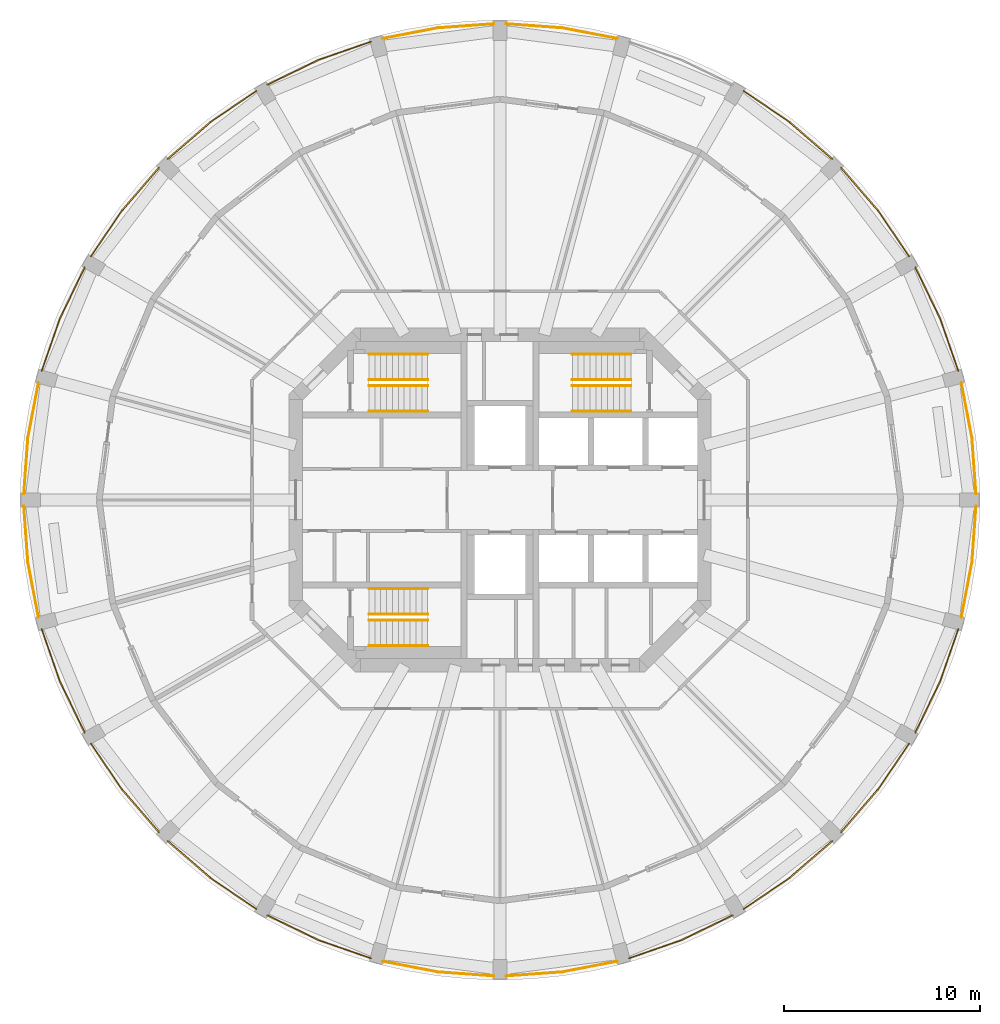
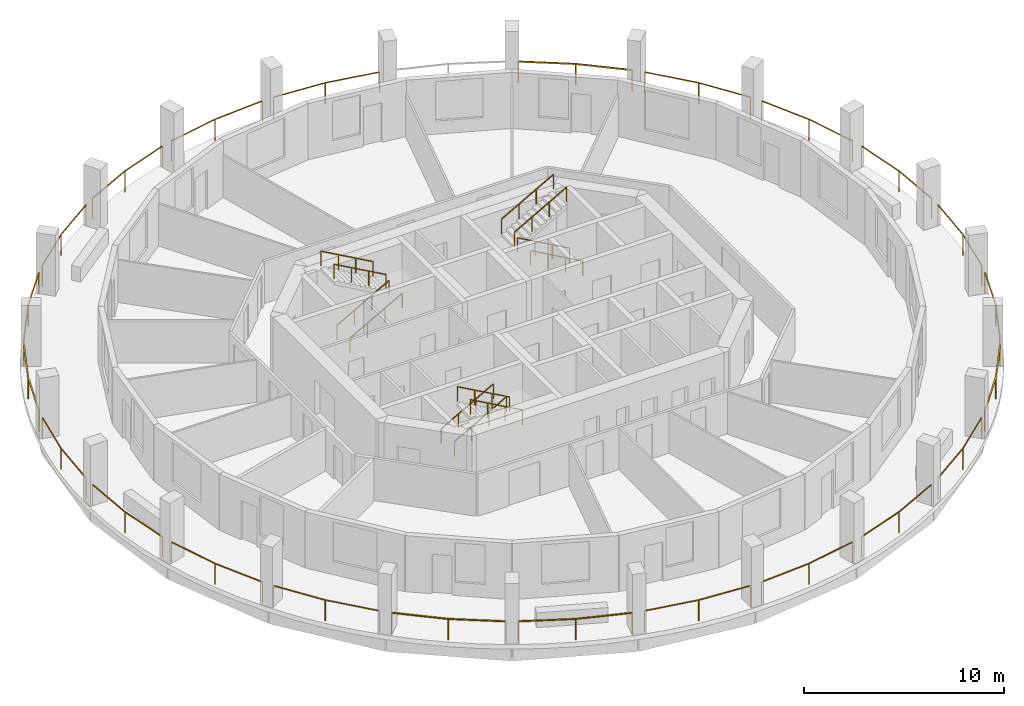
# One storey, part 8 of 9: 35 railings.
"""IFC4 building model written with IfcOpenShell, lengths in metres."""

from ifc_helpers import new_model, si_unit, direction, frame, origin, origin_2d, place, context, subcontext, project, spatial, rectangle, extrude, material, type_object, element, save


model = new_model("IFC4")

# Units and contexts
model_context = context("Model", 3, precision=1e-05, world=origin(), true_north=direction((0.0, 1.0)))
body_context = subcontext(model_context, "Body", "Model", "MODEL_VIEW")
ifc_project = project(units=[si_unit("LENGTHUNIT", "METRE"), si_unit("AREAUNIT", "SQUARE_METRE"), si_unit("VOLUMEUNIT", "CUBIC_METRE"), si_unit("PLANEANGLEUNIT", "RADIAN"), si_unit("MASSUNIT", "GRAM", prefix="KILO")], contexts=[model_context])

# Site, building, storey
site_placement = place(None, origin())
site = spatial("IfcSite", under=ifc_project, at=site_placement, CompositionType="ELEMENT")
building_placement = place(site_placement, origin())
building = spatial("IfcBuilding", under=site, at=building_placement, Name="Torre Triforio", CompositionType="ELEMENT")
storey_placement = place(building_placement, frame((0.0, 0.0, 244.60009765625)))
storey = spatial("IfcBuildingStorey", under=building, at=storey_placement, Name="L56", CompositionType="ELEMENT", Elevation=244.60009765625)

# Railings
ifc_material = material(Name="Stainless steel AISI 316", Category="steel")
railing_type_1 = type_object("IfcRailingType", Name="HANDRAIL 920", PredefinedType="HANDRAIL", material=ifc_material)
for number, where, name in (
    (1, (-6.699951171875, 4.550048828125, 0.16796875), "Handrail ST1"),
    (2, (-6.699951171875, 5.85009765625, 0.16796875), "Handrail ST1"),
):
    element("IfcRailing", number, at=place(storey_placement, frame(where)), inside=storey, type_object=railing_type_1, Name=name, PredefinedType="HANDRAIL", context=body_context, shape_type="SweptSolid", body=[
        extrude(rectangle(XDim=0.048095703125, YDim=0.048095703125, at=origin_2d()), frame((0.0, 0.0, 0.89599609375), z_axis=(0.872272294576, 0.0, 0.489020494575), x_axis=(0.0, 1.0, 0.0)), (0.0, 0.0, 1.0), 3.439208984375),
        extrude(rectangle(XDim=0.0419921875, YDim=0.0419921875, at=origin_2d()), origin(), (0.0, 0.0, 1.0), 0.871826171875),
        extrude(rectangle(XDim=0.0419921875, YDim=0.0419921875, at=origin_2d()), frame((1.0, 0.0, 0.560546875)), (0.0, 0.0, 1.0), 0.871826171875),
        extrude(rectangle(XDim=0.0419921875, YDim=0.0419921875, at=origin_2d()), frame((2.0, 0.0, 1.121337890625)), (0.0, 0.0, 1.0), 0.871826171875),
        extrude(rectangle(XDim=0.0419921875, YDim=0.0419921875, at=origin_2d()), frame((3.0, 0.0, 1.681884765625)), (0.0, 0.0, 1.0), 0.871826171875),
    ])
for number, where, name in (
    (3, (-3.699951171875, 7.449951171875, 2.01806640625), "Handrail ST1"),
    (4, (-3.699951171875, 6.14990234375, 2.01806640625), "Handrail ST1"),
    (5, (6.699951171875, 4.550048828125, 0.16796875), "Handrail ST2"),
    (6, (6.699951171875, 5.85009765625, 0.16796875), "Handrail ST2"),
):
    element("IfcRailing", number, at=place(storey_placement, frame(where)), inside=storey, type_object=railing_type_1, Name=name, PredefinedType="HANDRAIL", context=body_context, shape_type="SweptSolid", body=[
        extrude(rectangle(XDim=0.048095703125, YDim=0.048095703125, at=origin_2d()), frame((0.0, 0.0, 0.89599609375), z_axis=(-0.872272294576, 0.0, 0.489020494575), x_axis=(0.0, -1.0, 0.0)), (0.0, 0.0, 1.0), 3.439208984375),
        extrude(rectangle(XDim=0.0419921875, YDim=0.0419921875, at=origin_2d()), origin(), (0.0, 0.0, 1.0), 0.871826171875),
        extrude(rectangle(XDim=0.0419921875, YDim=0.0419921875, at=origin_2d()), frame((-1.0, 0.0, 0.560546875)), (0.0, 0.0, 1.0), 0.871826171875),
        extrude(rectangle(XDim=0.0419921875, YDim=0.0419921875, at=origin_2d()), frame((-2.0, 0.0, 1.121337890625)), (0.0, 0.0, 1.0), 0.871826171875),
        extrude(rectangle(XDim=0.0419921875, YDim=0.0419921875, at=origin_2d()), frame((-3.0, 0.0, 1.681884765625)), (0.0, 0.0, 1.0), 0.871826171875),
    ])
for number, where, name in (
    (7, (3.699951171875, 7.449951171875, 2.01806640625), "Handrail ST2"),
    (8, (3.699951171875, 6.14990234375, 2.01806640625), "Handrail ST2"),
    (9, (-6.699951171875, -4.550048828125, 0.16796875), "Handrail ST3"),
    (10, (-6.699951171875, -5.85009765625, 0.16796875), "Handrail ST3"),
):
    element("IfcRailing", number, at=place(storey_placement, frame(where)), inside=storey, type_object=railing_type_1, Name=name, PredefinedType="HANDRAIL", context=body_context, shape_type="SweptSolid", body=[
        extrude(rectangle(XDim=0.048095703125, YDim=0.048095703125, at=origin_2d()), frame((0.0, 0.0, 0.89599609375), z_axis=(0.872272294576, 0.0, 0.489020494575), x_axis=(0.0, 1.0, 0.0)), (0.0, 0.0, 1.0), 3.439208984375),
        extrude(rectangle(XDim=0.0419921875, YDim=0.0419921875, at=origin_2d()), origin(), (0.0, 0.0, 1.0), 0.871826171875),
        extrude(rectangle(XDim=0.0419921875, YDim=0.0419921875, at=origin_2d()), frame((1.0, 0.0, 0.560546875)), (0.0, 0.0, 1.0), 0.871826171875),
        extrude(rectangle(XDim=0.0419921875, YDim=0.0419921875, at=origin_2d()), frame((2.0, 0.0, 1.121337890625)), (0.0, 0.0, 1.0), 0.871826171875),
        extrude(rectangle(XDim=0.0419921875, YDim=0.0419921875, at=origin_2d()), frame((3.0, 0.0, 1.681884765625)), (0.0, 0.0, 1.0), 0.871826171875),
    ])
for number, where, name in (
    (11, (-3.699951171875, -7.449951171875, 2.01806640625), "Handrail ST3"),
    (12, (-3.699951171875, -6.14990234375, 2.01806640625), "Handrail ST3"),
):
    element("IfcRailing", number, at=place(storey_placement, frame(where)), inside=storey, type_object=railing_type_1, Name=name, PredefinedType="HANDRAIL", context=body_context, shape_type="SweptSolid", body=[
        extrude(rectangle(XDim=0.048095703125, YDim=0.048095703125, at=origin_2d()), frame((0.0, 0.0, 0.89599609375), z_axis=(-0.872272294576, 0.0, 0.489020494575), x_axis=(0.0, -1.0, 0.0)), (0.0, 0.0, 1.0), 3.439208984375),
        extrude(rectangle(XDim=0.0419921875, YDim=0.0419921875, at=origin_2d()), origin(), (0.0, 0.0, 1.0), 0.871826171875),
        extrude(rectangle(XDim=0.0419921875, YDim=0.0419921875, at=origin_2d()), frame((-1.0, 0.0, 0.560546875)), (0.0, 0.0, 1.0), 0.871826171875),
        extrude(rectangle(XDim=0.0419921875, YDim=0.0419921875, at=origin_2d()), frame((-2.0, 0.0, 1.121337890625)), (0.0, 0.0, 1.0), 0.871826171875),
        extrude(rectangle(XDim=0.0419921875, YDim=0.0419921875, at=origin_2d()), frame((-3.0, 0.0, 1.681884765625)), (0.0, 0.0, 1.0), 0.871826171875),
    ])
railing_type_2 = type_object("IfcRailingType", Name="Loggia guard 1300", PredefinedType="GUARDRAIL", material=ifc_material)
railing_1_placement = place(storey_placement, frame((24.35009765625, 0.320068359375, 0.0)))
element("IfcRailing", 13, at=railing_1_placement, inside=storey, type_object=railing_type_2, Name="Loggia guard L56 bay 01", PredefinedType="GUARDRAIL", context=body_context, shape_type="SweptSolid", body=[
    extrude(rectangle(XDim=0.050048828125, YDim=0.050048828125, at=origin_2d()), frame((0.0, 0.0, 1.27490234375), z_axis=(-0.072754488601, 0.997349880628, 0.0), x_axis=(-0.997349880628, -0.072754488601, 0.0)), (0.0, 0.0, 1.0), 2.86572265625),
    extrude(rectangle(XDim=0.050048828125, YDim=0.050048828125, at=origin_2d()), frame((-0.20849609375, 2.858154296875, 1.27490234375), z_axis=(-0.187918414449, 0.982184641252, 0.0), x_axis=(-0.982184641252, -0.187918414449, 0.0)), (0.0, 0.0, 1.0), 2.865966796875),
    extrude(rectangle(XDim=0.0400390625, YDim=0.0400390625, at=origin_2d()), origin(), (0.0, 0.0, 1.0), 1.25),
    extrude(rectangle(XDim=0.0400390625, YDim=0.0400390625, at=origin_2d()), frame((-0.20849609375, 2.858154296875, 0.0)), (0.0, 0.0, 1.0), 1.25),
    extrude(rectangle(XDim=0.0400390625, YDim=0.0400390625, at=origin_2d()), frame((-0.7470703125, 5.673095703125, 0.0)), (0.0, 0.0, 1.0), 1.25),
])
railing_2_placement = place(storey_placement, frame((23.4375, 6.611328125, 0.0)))
element("IfcRailing", 14, at=railing_2_placement, inside=storey, type_object=railing_type_2, Name="Loggia guard L56 bay 02", PredefinedType="GUARDRAIL", context=body_context, shape_type="SweptSolid", body=[
    extrude(rectangle(XDim=0.050048828125, YDim=0.050048828125, at=origin_2d()), frame((0.0, 0.0, 1.27490234375), z_axis=(-0.328315763022, 0.944568028123, 0.0), x_axis=(-0.944568028123, -0.328315763022, 0.0)), (0.0, 0.0, 1.0), 2.865966796875),
    extrude(rectangle(XDim=0.050048828125, YDim=0.050048828125, at=origin_2d()), frame((-0.94091796875, 2.70703125, 1.27490234375), z_axis=(-0.435727917358, 0.900078431046, 0.0), x_axis=(-0.900078431046, -0.435727917358, 0.0)), (0.0, 0.0, 1.0), 2.865966796875),
    extrude(rectangle(XDim=0.0400390625, YDim=0.0400390625, at=origin_2d()), origin(), (0.0, 0.0, 1.0), 1.25),
    extrude(rectangle(XDim=0.0400390625, YDim=0.0400390625, at=origin_2d()), frame((-0.94091796875, 2.70703125, 0.0)), (0.0, 0.0, 1.0), 1.25),
    extrude(rectangle(XDim=0.0400390625, YDim=0.0400390625, at=origin_2d()), frame((-2.189697265625, 5.28662109375, 0.0)), (0.0, 0.0, 1.0), 1.25),
])
railing_3_placement = place(storey_placement, frame((20.927734375, 12.4521484375, 0.0)))
element("IfcRailing", 15, at=railing_3_placement, inside=storey, type_object=railing_type_2, Name="Loggia guard L56 bay 03", PredefinedType="GUARDRAIL", context=body_context, shape_type="SweptSolid", body=[
    extrude(rectangle(XDim=0.050048828125, YDim=0.050048828125, at=origin_2d()), frame((0.0, 0.0, 1.27490234375), z_axis=(-0.561659735558, 0.827368322727, 0.0), x_axis=(-0.827368322727, -0.561659735558, 0.0)), (0.0, 0.0, 1.0), 2.86572265625),
    extrude(rectangle(XDim=0.050048828125, YDim=0.050048828125, at=origin_2d()), frame((-1.609619140625, 2.37109375, 1.27490234375), z_axis=(-0.653823896404, 0.756646755422, 0.0), x_axis=(-0.756646755422, -0.653823896404, 0.0)), (0.0, 0.0, 1.0), 2.865966796875),
    extrude(rectangle(XDim=0.0400390625, YDim=0.0400390625, at=origin_2d()), origin(), (0.0, 0.0, 1.0), 1.25),
    extrude(rectangle(XDim=0.0400390625, YDim=0.0400390625, at=origin_2d()), frame((-1.609619140625, 2.37109375, 0.0)), (0.0, 0.0, 1.0), 1.25),
    extrude(rectangle(XDim=0.0400390625, YDim=0.0400390625, at=origin_2d()), frame((-3.4833984375, 4.53955078125, 0.0)), (0.0, 0.0, 1.0), 1.25),
])
railing_4_placement = place(storey_placement, frame((16.99169921875, 17.4443359375, 0.0)))
element("IfcRailing", 16, at=railing_4_placement, inside=storey, type_object=railing_type_2, Name="Loggia guard L56 bay 04", PredefinedType="GUARDRAIL", context=body_context, shape_type="SweptSolid", body=[
    extrude(rectangle(XDim=0.050048828125, YDim=0.050048828125, at=origin_2d()), frame((0.0, 0.0, 1.27490234375), z_axis=(-0.756646755422, 0.653823896404, 0.0), x_axis=(-0.653823896404, -0.756646755422, 0.0)), (0.0, 0.0, 1.0), 2.865966796875),
    extrude(rectangle(XDim=0.050048828125, YDim=0.050048828125, at=origin_2d()), frame((-2.16845703125, 1.873779296875, 1.27490234375), z_axis=(-0.827368322727, 0.561659735558, 0.0), x_axis=(-0.561659735558, -0.827368322727, 0.0)), (0.0, 0.0, 1.0), 2.86572265625),
    extrude(rectangle(XDim=0.0400390625, YDim=0.0400390625, at=origin_2d()), origin(), (0.0, 0.0, 1.0), 1.25),
    extrude(rectangle(XDim=0.0400390625, YDim=0.0400390625, at=origin_2d()), frame((-2.16845703125, 1.873779296875, 0.0)), (0.0, 0.0, 1.0), 1.25),
    extrude(rectangle(XDim=0.0400390625, YDim=0.0400390625, at=origin_2d()), frame((-4.53955078125, 3.4833984375, 0.0)), (0.0, 0.0, 1.0), 1.25),
])
railing_5_placement = place(storey_placement, frame((5.9931640625, 23.60302734375, 0.0)))
element("IfcRailing", 17, at=railing_5_placement, inside=storey, type_object=railing_type_2, Name="Loggia guard L56 bay 06", PredefinedType="GUARDRAIL", context=body_context, shape_type="SweptSolid", body=[
    extrude(rectangle(XDim=0.050048828125, YDim=0.050048828125, at=origin_2d()), frame((0.0, 0.0, 1.27490234375), z_axis=(-0.982184641252, 0.187918414449, 0.0), x_axis=(-0.187918414449, -0.982184641252, 0.0)), (0.0, 0.0, 1.0), 2.865966796875),
    extrude(rectangle(XDim=0.050048828125, YDim=0.050048828125, at=origin_2d()), frame((-2.81494140625, 0.53857421875, 1.27490234375), z_axis=(-0.997349880628, 0.072754488601, 0.0), x_axis=(-0.072754488601, -0.997349880628, 0.0)), (0.0, 0.0, 1.0), 2.86572265625),
    extrude(rectangle(XDim=0.0400390625, YDim=0.0400390625, at=origin_2d()), origin(), (0.0, 0.0, 1.0), 1.25),
    extrude(rectangle(XDim=0.0400390625, YDim=0.0400390625, at=origin_2d()), frame((-2.81494140625, 0.53857421875, 0.0)), (0.0, 0.0, 1.0), 1.25),
    extrude(rectangle(XDim=0.0400390625, YDim=0.0400390625, at=origin_2d()), frame((-5.673095703125, 0.7470703125, 0.0)), (0.0, 0.0, 1.0), 1.25),
])
railing_6_placement = place(storey_placement, frame((-0.320068359375, 24.35009765625, 0.0)))
element("IfcRailing", 18, at=railing_6_placement, inside=storey, type_object=railing_type_2, Name="Loggia guard L56 bay 07", PredefinedType="GUARDRAIL", context=body_context, shape_type="SweptSolid", body=[
    extrude(rectangle(XDim=0.050048828125, YDim=0.050048828125, at=origin_2d()), frame((0.0, 0.0, 1.27490234375), z_axis=(-0.997349880628, -0.072754488601, 0.0), x_axis=(0.072754488601, -0.997349880628, 0.0)), (0.0, 0.0, 1.0), 2.86572265625),
    extrude(rectangle(XDim=0.050048828125, YDim=0.050048828125, at=origin_2d()), frame((-2.858154296875, -0.20849609375, 1.27490234375), z_axis=(-0.982184641252, -0.187918414449, 0.0), x_axis=(0.187918414449, -0.982184641252, 0.0)), (0.0, 0.0, 1.0), 2.865966796875),
    extrude(rectangle(XDim=0.0400390625, YDim=0.0400390625, at=origin_2d()), origin(), (0.0, 0.0, 1.0), 1.25),
    extrude(rectangle(XDim=0.0400390625, YDim=0.0400390625, at=origin_2d()), frame((-2.858154296875, -0.20849609375, 0.0)), (0.0, 0.0, 1.0), 1.25),
    extrude(rectangle(XDim=0.0400390625, YDim=0.0400390625, at=origin_2d()), frame((-5.673095703125, -0.7470703125, 0.0)), (0.0, 0.0, 1.0), 1.25),
])
railing_7_placement = place(storey_placement, frame((-6.611328125, 23.4375, 0.0)))
element("IfcRailing", 19, at=railing_7_placement, inside=storey, type_object=railing_type_2, Name="Loggia guard L56 bay 08", PredefinedType="GUARDRAIL", context=body_context, shape_type="SweptSolid", body=[
    extrude(rectangle(XDim=0.050048828125, YDim=0.050048828125, at=origin_2d()), frame((0.0, 0.0, 1.27490234375), z_axis=(-0.944568028123, -0.328315763022, 0.0), x_axis=(0.328315763022, -0.944568028123, 0.0)), (0.0, 0.0, 1.0), 2.865966796875),
    extrude(rectangle(XDim=0.050048828125, YDim=0.050048828125, at=origin_2d()), frame((-2.70703125, -0.94091796875, 1.27490234375), z_axis=(-0.900078431046, -0.435727917358, 0.0), x_axis=(0.435727917358, -0.900078431046, 0.0)), (0.0, 0.0, 1.0), 2.865966796875),
    extrude(rectangle(XDim=0.0400390625, YDim=0.0400390625, at=origin_2d()), origin(), (0.0, 0.0, 1.0), 1.25),
    extrude(rectangle(XDim=0.0400390625, YDim=0.0400390625, at=origin_2d()), frame((-2.70703125, -0.94091796875, 0.0)), (0.0, 0.0, 1.0), 1.25),
    extrude(rectangle(XDim=0.0400390625, YDim=0.0400390625, at=origin_2d()), frame((-5.28662109375, -2.189697265625, 0.0)), (0.0, 0.0, 1.0), 1.25),
])
railing_8_placement = place(storey_placement, frame((-12.4521484375, 20.927734375, 0.0)))
element("IfcRailing", 20, at=railing_8_placement, inside=storey, type_object=railing_type_2, Name="Loggia guard L56 bay 09", PredefinedType="GUARDRAIL", context=body_context, shape_type="SweptSolid", body=[
    extrude(rectangle(XDim=0.050048828125, YDim=0.050048828125, at=origin_2d()), frame((0.0, 0.0, 1.27490234375), z_axis=(-0.827368322727, -0.561659735558, 0.0), x_axis=(0.561659735558, -0.827368322727, 0.0)), (0.0, 0.0, 1.0), 2.86572265625),
    extrude(rectangle(XDim=0.050048828125, YDim=0.050048828125, at=origin_2d()), frame((-2.37109375, -1.609619140625, 1.27490234375), z_axis=(-0.756646755422, -0.653823896404, 0.0), x_axis=(0.653823896404, -0.756646755422, 0.0)), (0.0, 0.0, 1.0), 2.865966796875),
    extrude(rectangle(XDim=0.0400390625, YDim=0.0400390625, at=origin_2d()), origin(), (0.0, 0.0, 1.0), 1.25),
    extrude(rectangle(XDim=0.0400390625, YDim=0.0400390625, at=origin_2d()), frame((-2.37109375, -1.609619140625, 0.0)), (0.0, 0.0, 1.0), 1.25),
    extrude(rectangle(XDim=0.0400390625, YDim=0.0400390625, at=origin_2d()), frame((-4.53955078125, -3.4833984375, 0.0)), (0.0, 0.0, 1.0), 1.25),
])
railing_9_placement = place(storey_placement, frame((-17.4443359375, 16.99169921875, 0.0)))
element("IfcRailing", 21, at=railing_9_placement, inside=storey, type_object=railing_type_2, Name="Loggia guard L56 bay 10", PredefinedType="GUARDRAIL", context=body_context, shape_type="SweptSolid", body=[
    extrude(rectangle(XDim=0.050048828125, YDim=0.050048828125, at=origin_2d()), frame((0.0, 0.0, 1.27490234375), z_axis=(-0.653823896404, -0.756646755422, 0.0), x_axis=(0.756646755422, -0.653823896404, 0.0)), (0.0, 0.0, 1.0), 2.865966796875),
    extrude(rectangle(XDim=0.050048828125, YDim=0.050048828125, at=origin_2d()), frame((-1.873779296875, -2.16845703125, 1.27490234375), z_axis=(-0.561659735558, -0.827368322727, 0.0), x_axis=(0.827368322727, -0.561659735558, 0.0)), (0.0, 0.0, 1.0), 2.86572265625),
    extrude(rectangle(XDim=0.0400390625, YDim=0.0400390625, at=origin_2d()), origin(), (0.0, 0.0, 1.0), 1.25),
    extrude(rectangle(XDim=0.0400390625, YDim=0.0400390625, at=origin_2d()), frame((-1.873779296875, -2.16845703125, 0.0)), (0.0, 0.0, 1.0), 1.25),
    extrude(rectangle(XDim=0.0400390625, YDim=0.0400390625, at=origin_2d()), frame((-3.4833984375, -4.53955078125, 0.0)), (0.0, 0.0, 1.0), 1.25),
])
railing_10_placement = place(storey_placement, frame((-21.247802734375, 11.89794921875, 0.0)))
element("IfcRailing", 22, at=railing_10_placement, inside=storey, type_object=railing_type_2, Name="Loggia guard L56 bay 11", PredefinedType="GUARDRAIL", context=body_context, shape_type="SweptSolid", body=[
    extrude(rectangle(XDim=0.050048828125, YDim=0.050048828125, at=origin_2d()), frame((0.0, 0.0, 1.27490234375), z_axis=(-0.435727917358, -0.900078431046, 0.0), x_axis=(0.900078431046, -0.435727917358, 0.0)), (0.0, 0.0, 1.0), 2.865966796875),
    extrude(rectangle(XDim=0.050048828125, YDim=0.050048828125, at=origin_2d()), frame((-1.248779296875, -2.57958984375, 1.27490234375), z_axis=(-0.328315763022, -0.944568028123, 0.0), x_axis=(0.944568028123, -0.328315763022, 0.0)), (0.0, 0.0, 1.0), 2.865966796875),
    extrude(rectangle(XDim=0.0400390625, YDim=0.0400390625, at=origin_2d()), origin(), (0.0, 0.0, 1.0), 1.25),
    extrude(rectangle(XDim=0.0400390625, YDim=0.0400390625, at=origin_2d()), frame((-1.248779296875, -2.57958984375, 0.0)), (0.0, 0.0, 1.0), 1.25),
    extrude(rectangle(XDim=0.0400390625, YDim=0.0400390625, at=origin_2d()), frame((-2.189697265625, -5.28662109375, 0.0)), (0.0, 0.0, 1.0), 1.25),
])
railing_11_placement = place(storey_placement, frame((-23.60302734375, 5.9931640625, 0.0)))
element("IfcRailing", 23, at=railing_11_placement, inside=storey, type_object=railing_type_2, Name="Loggia guard L56 bay 12", PredefinedType="GUARDRAIL", context=body_context, shape_type="SweptSolid", body=[
    extrude(rectangle(XDim=0.050048828125, YDim=0.050048828125, at=origin_2d()), frame((0.0, 0.0, 1.27490234375), z_axis=(-0.187918414449, -0.982184641252, 0.0), x_axis=(0.982184641252, -0.187918414449, 0.0)), (0.0, 0.0, 1.0), 2.865966796875),
    extrude(rectangle(XDim=0.050048828125, YDim=0.050048828125, at=origin_2d()), frame((-0.53857421875, -2.81494140625, 1.27490234375), z_axis=(-0.072754488601, -0.997349880628, 0.0), x_axis=(0.997349880628, -0.072754488601, 0.0)), (0.0, 0.0, 1.0), 2.86572265625),
    extrude(rectangle(XDim=0.0400390625, YDim=0.0400390625, at=origin_2d()), origin(), (0.0, 0.0, 1.0), 1.25),
    extrude(rectangle(XDim=0.0400390625, YDim=0.0400390625, at=origin_2d()), frame((-0.53857421875, -2.81494140625, 0.0)), (0.0, 0.0, 1.0), 1.25),
    extrude(rectangle(XDim=0.0400390625, YDim=0.0400390625, at=origin_2d()), frame((-0.7470703125, -5.673095703125, 0.0)), (0.0, 0.0, 1.0), 1.25),
])
railing_12_placement = place(storey_placement, frame((-24.35009765625, -0.320068359375, 0.0)))
element("IfcRailing", 24, at=railing_12_placement, inside=storey, type_object=railing_type_2, Name="Loggia guard L56 bay 13", PredefinedType="GUARDRAIL", context=body_context, shape_type="SweptSolid", body=[
    extrude(rectangle(XDim=0.050048828125, YDim=0.050048828125, at=origin_2d()), frame((0.0, 0.0, 1.27490234375), z_axis=(0.072754488601, -0.997349880628, 0.0), x_axis=(0.997349880628, 0.072754488601, 0.0)), (0.0, 0.0, 1.0), 2.86572265625),
    extrude(rectangle(XDim=0.050048828125, YDim=0.050048828125, at=origin_2d()), frame((0.20849609375, -2.858154296875, 1.27490234375), z_axis=(0.187918414449, -0.982184641252, 0.0), x_axis=(0.982184641252, 0.187918414449, 0.0)), (0.0, 0.0, 1.0), 2.865966796875),
    extrude(rectangle(XDim=0.0400390625, YDim=0.0400390625, at=origin_2d()), origin(), (0.0, 0.0, 1.0), 1.25),
    extrude(rectangle(XDim=0.0400390625, YDim=0.0400390625, at=origin_2d()), frame((0.20849609375, -2.858154296875, 0.0)), (0.0, 0.0, 1.0), 1.25),
    extrude(rectangle(XDim=0.0400390625, YDim=0.0400390625, at=origin_2d()), frame((0.7470703125, -5.673095703125, 0.0)), (0.0, 0.0, 1.0), 1.25),
])
railing_13_placement = place(storey_placement, frame((-23.4375, -6.611328125, 0.0)))
element("IfcRailing", 25, at=railing_13_placement, inside=storey, type_object=railing_type_2, Name="Loggia guard L56 bay 14", PredefinedType="GUARDRAIL", context=body_context, shape_type="SweptSolid", body=[
    extrude(rectangle(XDim=0.050048828125, YDim=0.050048828125, at=origin_2d()), frame((0.0, 0.0, 1.27490234375), z_axis=(0.328315763022, -0.944568028123, 0.0), x_axis=(0.944568028123, 0.328315763022, 0.0)), (0.0, 0.0, 1.0), 2.865966796875),
    extrude(rectangle(XDim=0.050048828125, YDim=0.050048828125, at=origin_2d()), frame((0.94091796875, -2.70703125, 1.27490234375), z_axis=(0.435727917358, -0.900078431046, 0.0), x_axis=(0.900078431046, 0.435727917358, 0.0)), (0.0, 0.0, 1.0), 2.865966796875),
    extrude(rectangle(XDim=0.0400390625, YDim=0.0400390625, at=origin_2d()), origin(), (0.0, 0.0, 1.0), 1.25),
    extrude(rectangle(XDim=0.0400390625, YDim=0.0400390625, at=origin_2d()), frame((0.94091796875, -2.70703125, 0.0)), (0.0, 0.0, 1.0), 1.25),
    extrude(rectangle(XDim=0.0400390625, YDim=0.0400390625, at=origin_2d()), frame((2.189697265625, -5.28662109375, 0.0)), (0.0, 0.0, 1.0), 1.25),
])
railing_14_placement = place(storey_placement, frame((-20.927734375, -12.4521484375, 0.0)))
element("IfcRailing", 26, at=railing_14_placement, inside=storey, type_object=railing_type_2, Name="Loggia guard L56 bay 15", PredefinedType="GUARDRAIL", context=body_context, shape_type="SweptSolid", body=[
    extrude(rectangle(XDim=0.050048828125, YDim=0.050048828125, at=origin_2d()), frame((0.0, 0.0, 1.27490234375), z_axis=(0.561659735558, -0.827368322727, 0.0), x_axis=(0.827368322727, 0.561659735558, 0.0)), (0.0, 0.0, 1.0), 2.86572265625),
    extrude(rectangle(XDim=0.050048828125, YDim=0.050048828125, at=origin_2d()), frame((1.609619140625, -2.37109375, 1.27490234375), z_axis=(0.653823896404, -0.756646755422, 0.0), x_axis=(0.756646755422, 0.653823896404, 0.0)), (0.0, 0.0, 1.0), 2.865966796875),
    extrude(rectangle(XDim=0.0400390625, YDim=0.0400390625, at=origin_2d()), origin(), (0.0, 0.0, 1.0), 1.25),
    extrude(rectangle(XDim=0.0400390625, YDim=0.0400390625, at=origin_2d()), frame((1.609619140625, -2.37109375, 0.0)), (0.0, 0.0, 1.0), 1.25),
    extrude(rectangle(XDim=0.0400390625, YDim=0.0400390625, at=origin_2d()), frame((3.4833984375, -4.53955078125, 0.0)), (0.0, 0.0, 1.0), 1.25),
])
railing_15_placement = place(storey_placement, frame((-16.99169921875, -17.4443359375, 0.0)))
element("IfcRailing", 27, at=railing_15_placement, inside=storey, type_object=railing_type_2, Name="Loggia guard L56 bay 16", PredefinedType="GUARDRAIL", context=body_context, shape_type="SweptSolid", body=[
    extrude(rectangle(XDim=0.050048828125, YDim=0.050048828125, at=origin_2d()), frame((0.0, 0.0, 1.27490234375), z_axis=(0.756646755422, -0.653823896404, 0.0), x_axis=(0.653823896404, 0.756646755422, 0.0)), (0.0, 0.0, 1.0), 2.865966796875),
    extrude(rectangle(XDim=0.050048828125, YDim=0.050048828125, at=origin_2d()), frame((2.16845703125, -1.873779296875, 1.27490234375), z_axis=(0.827368322727, -0.561659735558, 0.0), x_axis=(0.561659735558, 0.827368322727, 0.0)), (0.0, 0.0, 1.0), 2.86572265625),
    extrude(rectangle(XDim=0.0400390625, YDim=0.0400390625, at=origin_2d()), origin(), (0.0, 0.0, 1.0), 1.25),
    extrude(rectangle(XDim=0.0400390625, YDim=0.0400390625, at=origin_2d()), frame((2.16845703125, -1.873779296875, 0.0)), (0.0, 0.0, 1.0), 1.25),
    extrude(rectangle(XDim=0.0400390625, YDim=0.0400390625, at=origin_2d()), frame((4.53955078125, -3.4833984375, 0.0)), (0.0, 0.0, 1.0), 1.25),
])
railing_16_placement = place(storey_placement, frame((-11.89794921875, -21.247802734375, 0.0)))
element("IfcRailing", 28, at=railing_16_placement, inside=storey, type_object=railing_type_2, Name="Loggia guard L56 bay 17", PredefinedType="GUARDRAIL", context=body_context, shape_type="SweptSolid", body=[
    extrude(rectangle(XDim=0.050048828125, YDim=0.050048828125, at=origin_2d()), frame((0.0, 0.0, 1.27490234375), z_axis=(0.900078431046, -0.435727917358, 0.0), x_axis=(0.435727917358, 0.900078431046, 0.0)), (0.0, 0.0, 1.0), 2.865966796875),
    extrude(rectangle(XDim=0.050048828125, YDim=0.050048828125, at=origin_2d()), frame((2.57958984375, -1.248779296875, 1.27490234375), z_axis=(0.944568028123, -0.328315763022, 0.0), x_axis=(0.328315763022, 0.944568028123, 0.0)), (0.0, 0.0, 1.0), 2.865966796875),
    extrude(rectangle(XDim=0.0400390625, YDim=0.0400390625, at=origin_2d()), origin(), (0.0, 0.0, 1.0), 1.25),
    extrude(rectangle(XDim=0.0400390625, YDim=0.0400390625, at=origin_2d()), frame((2.57958984375, -1.248779296875, 0.0)), (0.0, 0.0, 1.0), 1.25),
    extrude(rectangle(XDim=0.0400390625, YDim=0.0400390625, at=origin_2d()), frame((5.28662109375, -2.189697265625, 0.0)), (0.0, 0.0, 1.0), 1.25),
])
railing_17_placement = place(storey_placement, frame((-5.9931640625, -23.60302734375, 0.0)))
element("IfcRailing", 29, at=railing_17_placement, inside=storey, type_object=railing_type_2, Name="Loggia guard L56 bay 18", PredefinedType="GUARDRAIL", context=body_context, shape_type="SweptSolid", body=[
    extrude(rectangle(XDim=0.050048828125, YDim=0.050048828125, at=origin_2d()), frame((0.0, 0.0, 1.27490234375), z_axis=(0.982184641252, -0.187918414449, 0.0), x_axis=(0.187918414449, 0.982184641252, 0.0)), (0.0, 0.0, 1.0), 2.865966796875),
    extrude(rectangle(XDim=0.050048828125, YDim=0.050048828125, at=origin_2d()), frame((2.81494140625, -0.53857421875, 1.27490234375), z_axis=(0.997349880628, -0.072754488601, 0.0), x_axis=(0.072754488601, 0.997349880628, 0.0)), (0.0, 0.0, 1.0), 2.86572265625),
    extrude(rectangle(XDim=0.0400390625, YDim=0.0400390625, at=origin_2d()), origin(), (0.0, 0.0, 1.0), 1.25),
    extrude(rectangle(XDim=0.0400390625, YDim=0.0400390625, at=origin_2d()), frame((2.81494140625, -0.53857421875, 0.0)), (0.0, 0.0, 1.0), 1.25),
    extrude(rectangle(XDim=0.0400390625, YDim=0.0400390625, at=origin_2d()), frame((5.673095703125, -0.7470703125, 0.0)), (0.0, 0.0, 1.0), 1.25),
])
railing_18_placement = place(storey_placement, frame((0.320068359375, -24.35009765625, 0.0)))
element("IfcRailing", 30, at=railing_18_placement, inside=storey, type_object=railing_type_2, Name="Loggia guard L56 bay 19", PredefinedType="GUARDRAIL", context=body_context, shape_type="SweptSolid", body=[
    extrude(rectangle(XDim=0.050048828125, YDim=0.050048828125, at=origin_2d()), frame((0.0, 0.0, 1.27490234375), z_axis=(0.997349880628, 0.072754488601, 0.0), x_axis=(-0.072754488601, 0.997349880628, 0.0)), (0.0, 0.0, 1.0), 2.86572265625),
    extrude(rectangle(XDim=0.050048828125, YDim=0.050048828125, at=origin_2d()), frame((2.858154296875, 0.20849609375, 1.27490234375), z_axis=(0.982184641252, 0.187918414449, 0.0), x_axis=(-0.187918414449, 0.982184641252, 0.0)), (0.0, 0.0, 1.0), 2.865966796875),
    extrude(rectangle(XDim=0.0400390625, YDim=0.0400390625, at=origin_2d()), origin(), (0.0, 0.0, 1.0), 1.25),
    extrude(rectangle(XDim=0.0400390625, YDim=0.0400390625, at=origin_2d()), frame((2.858154296875, 0.20849609375, 0.0)), (0.0, 0.0, 1.0), 1.25),
    extrude(rectangle(XDim=0.0400390625, YDim=0.0400390625, at=origin_2d()), frame((5.673095703125, 0.7470703125, 0.0)), (0.0, 0.0, 1.0), 1.25),
])
railing_19_placement = place(storey_placement, frame((6.611328125, -23.4375, 0.0)))
element("IfcRailing", 31, at=railing_19_placement, inside=storey, type_object=railing_type_2, Name="Loggia guard L56 bay 20", PredefinedType="GUARDRAIL", context=body_context, shape_type="SweptSolid", body=[
    extrude(rectangle(XDim=0.050048828125, YDim=0.050048828125, at=origin_2d()), frame((0.0, 0.0, 1.27490234375), z_axis=(0.944568028123, 0.328315763022, 0.0), x_axis=(-0.328315763022, 0.944568028123, 0.0)), (0.0, 0.0, 1.0), 2.865966796875),
    extrude(rectangle(XDim=0.050048828125, YDim=0.050048828125, at=origin_2d()), frame((2.70703125, 0.94091796875, 1.27490234375), z_axis=(0.900078431046, 0.435727917358, 0.0), x_axis=(-0.435727917358, 0.900078431046, 0.0)), (0.0, 0.0, 1.0), 2.865966796875),
    extrude(rectangle(XDim=0.0400390625, YDim=0.0400390625, at=origin_2d()), origin(), (0.0, 0.0, 1.0), 1.25),
    extrude(rectangle(XDim=0.0400390625, YDim=0.0400390625, at=origin_2d()), frame((2.70703125, 0.94091796875, 0.0)), (0.0, 0.0, 1.0), 1.25),
    extrude(rectangle(XDim=0.0400390625, YDim=0.0400390625, at=origin_2d()), frame((5.28662109375, 2.189697265625, 0.0)), (0.0, 0.0, 1.0), 1.25),
])
railing_20_placement = place(storey_placement, frame((12.4521484375, -20.927734375, 0.0)))
element("IfcRailing", 32, at=railing_20_placement, inside=storey, type_object=railing_type_2, Name="Loggia guard L56 bay 21", PredefinedType="GUARDRAIL", context=body_context, shape_type="SweptSolid", body=[
    extrude(rectangle(XDim=0.050048828125, YDim=0.050048828125, at=origin_2d()), frame((0.0, 0.0, 1.27490234375), z_axis=(0.827368322727, 0.561659735558, 0.0), x_axis=(-0.561659735558, 0.827368322727, 0.0)), (0.0, 0.0, 1.0), 2.86572265625),
    extrude(rectangle(XDim=0.050048828125, YDim=0.050048828125, at=origin_2d()), frame((2.37109375, 1.609619140625, 1.27490234375), z_axis=(0.756646755422, 0.653823896404, 0.0), x_axis=(-0.653823896404, 0.756646755422, 0.0)), (0.0, 0.0, 1.0), 2.865966796875),
    extrude(rectangle(XDim=0.0400390625, YDim=0.0400390625, at=origin_2d()), origin(), (0.0, 0.0, 1.0), 1.25),
    extrude(rectangle(XDim=0.0400390625, YDim=0.0400390625, at=origin_2d()), frame((2.37109375, 1.609619140625, 0.0)), (0.0, 0.0, 1.0), 1.25),
    extrude(rectangle(XDim=0.0400390625, YDim=0.0400390625, at=origin_2d()), frame((4.53955078125, 3.4833984375, 0.0)), (0.0, 0.0, 1.0), 1.25),
])
railing_21_placement = place(storey_placement, frame((17.4443359375, -16.99169921875, 0.0)))
element("IfcRailing", 33, at=railing_21_placement, inside=storey, type_object=railing_type_2, Name="Loggia guard L56 bay 22", PredefinedType="GUARDRAIL", context=body_context, shape_type="SweptSolid", body=[
    extrude(rectangle(XDim=0.050048828125, YDim=0.050048828125, at=origin_2d()), frame((0.0, 0.0, 1.27490234375), z_axis=(0.653823896404, 0.756646755422, 0.0), x_axis=(-0.756646755422, 0.653823896404, 0.0)), (0.0, 0.0, 1.0), 2.865966796875),
    extrude(rectangle(XDim=0.050048828125, YDim=0.050048828125, at=origin_2d()), frame((1.873779296875, 2.16845703125, 1.27490234375), z_axis=(0.561659735558, 0.827368322727, 0.0), x_axis=(-0.827368322727, 0.561659735558, 0.0)), (0.0, 0.0, 1.0), 2.86572265625),
    extrude(rectangle(XDim=0.0400390625, YDim=0.0400390625, at=origin_2d()), origin(), (0.0, 0.0, 1.0), 1.25),
    extrude(rectangle(XDim=0.0400390625, YDim=0.0400390625, at=origin_2d()), frame((1.873779296875, 2.16845703125, 0.0)), (0.0, 0.0, 1.0), 1.25),
    extrude(rectangle(XDim=0.0400390625, YDim=0.0400390625, at=origin_2d()), frame((3.4833984375, 4.53955078125, 0.0)), (0.0, 0.0, 1.0), 1.25),
])
railing_22_placement = place(storey_placement, frame((21.247802734375, -11.89794921875, 0.0)))
element("IfcRailing", 34, at=railing_22_placement, inside=storey, type_object=railing_type_2, Name="Loggia guard L56 bay 23", PredefinedType="GUARDRAIL", context=body_context, shape_type="SweptSolid", body=[
    extrude(rectangle(XDim=0.050048828125, YDim=0.050048828125, at=origin_2d()), frame((0.0, 0.0, 1.27490234375), z_axis=(0.435727917358, 0.900078431046, 0.0), x_axis=(-0.900078431046, 0.435727917358, 0.0)), (0.0, 0.0, 1.0), 2.865966796875),
    extrude(rectangle(XDim=0.050048828125, YDim=0.050048828125, at=origin_2d()), frame((1.248779296875, 2.57958984375, 1.27490234375), z_axis=(0.328315763022, 0.944568028123, 0.0), x_axis=(-0.944568028123, 0.328315763022, 0.0)), (0.0, 0.0, 1.0), 2.865966796875),
    extrude(rectangle(XDim=0.0400390625, YDim=0.0400390625, at=origin_2d()), origin(), (0.0, 0.0, 1.0), 1.25),
    extrude(rectangle(XDim=0.0400390625, YDim=0.0400390625, at=origin_2d()), frame((1.248779296875, 2.57958984375, 0.0)), (0.0, 0.0, 1.0), 1.25),
    extrude(rectangle(XDim=0.0400390625, YDim=0.0400390625, at=origin_2d()), frame((2.189697265625, 5.28662109375, 0.0)), (0.0, 0.0, 1.0), 1.25),
])
railing_23_placement = place(storey_placement, frame((23.60302734375, -5.9931640625, 0.0)))
element("IfcRailing", 35, at=railing_23_placement, inside=storey, type_object=railing_type_2, Name="Loggia guard L56 bay 24", PredefinedType="GUARDRAIL", context=body_context, shape_type="SweptSolid", body=[
    extrude(rectangle(XDim=0.050048828125, YDim=0.050048828125, at=origin_2d()), frame((0.0, 0.0, 1.27490234375), z_axis=(0.187918414449, 0.982184641252, 0.0), x_axis=(-0.982184641252, 0.187918414449, 0.0)), (0.0, 0.0, 1.0), 2.865966796875),
    extrude(rectangle(XDim=0.050048828125, YDim=0.050048828125, at=origin_2d()), frame((0.53857421875, 2.81494140625, 1.27490234375), z_axis=(0.072754488601, 0.997349880628, 0.0), x_axis=(-0.997349880628, 0.072754488601, 0.0)), (0.0, 0.0, 1.0), 2.86572265625),
    extrude(rectangle(XDim=0.0400390625, YDim=0.0400390625, at=origin_2d()), origin(), (0.0, 0.0, 1.0), 1.25),
    extrude(rectangle(XDim=0.0400390625, YDim=0.0400390625, at=origin_2d()), frame((0.53857421875, 2.81494140625, 0.0)), (0.0, 0.0, 1.0), 1.25),
    extrude(rectangle(XDim=0.0400390625, YDim=0.0400390625, at=origin_2d()), frame((0.7470703125, 5.673095703125, 0.0)), (0.0, 0.0, 1.0), 1.25),
])

save(model, "model.ifc")
